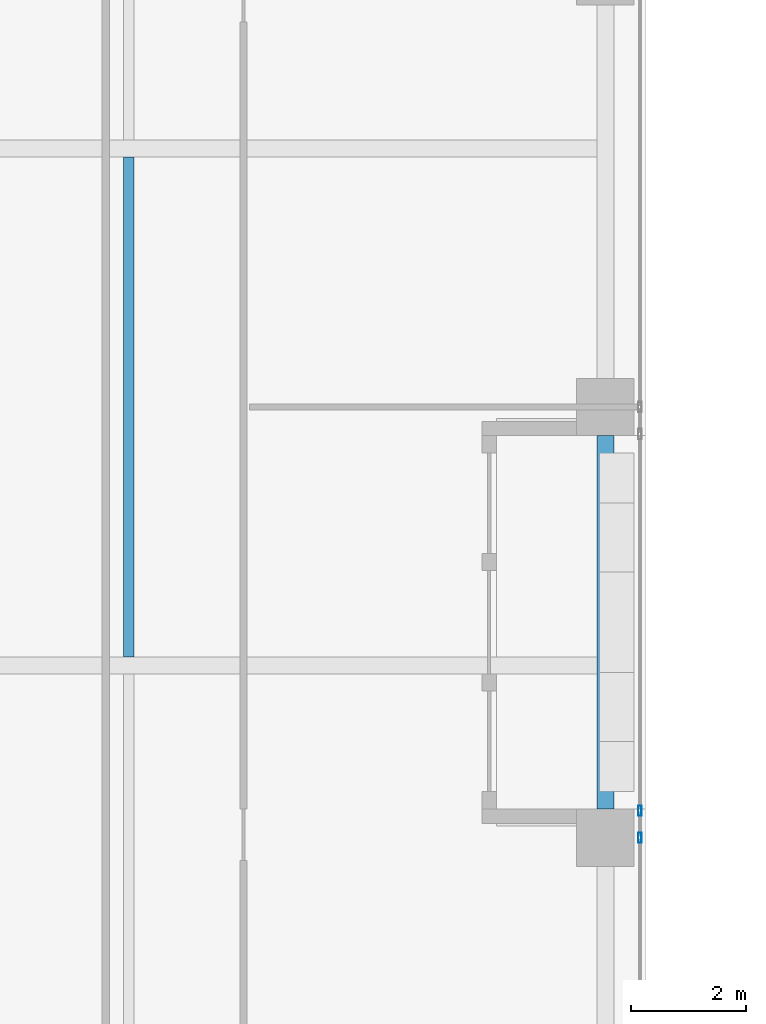
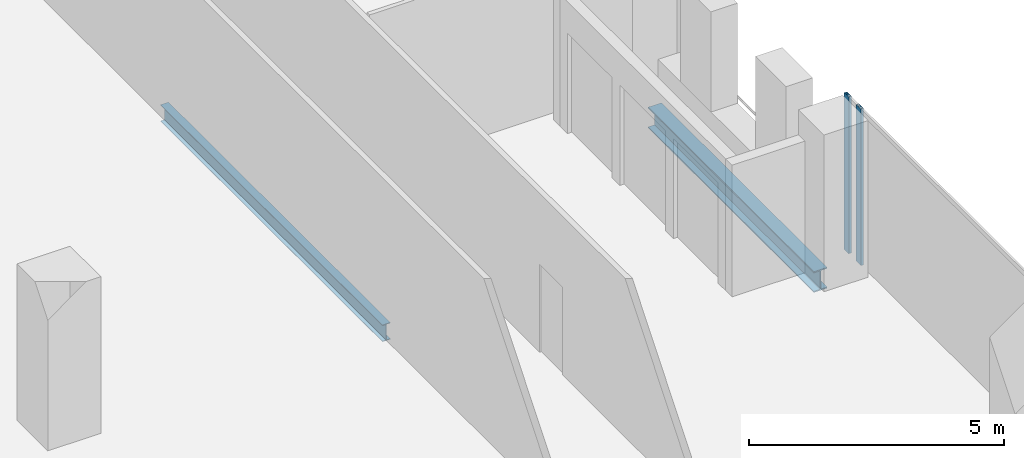
# One storey, part 14 of 40: 2 beams, 2 members, 1 element without a shape of its own.
"""IFC4 building model written with IfcOpenShell, lengths in metres."""

from ifc_helpers import new_model, si_unit, direction, frame, origin, origin_2d, place, context, subcontext, project, spatial, hollow_rectangle, i_section, extrude, source, transform, mapped, material, material_profile, profile_set, type_object, element, aggregate, save


model = new_model("IFC4")

# Units and contexts
model_context = context("Model", 3, precision=1e-05, world=origin(), true_north=direction((0.0, 1.0)))
body_context = subcontext(model_context, "Body", "Model", "MODEL_VIEW")
ifc_project = project(units=[si_unit("LENGTHUNIT", "METRE"), si_unit("AREAUNIT", "SQUARE_METRE"), si_unit("VOLUMEUNIT", "CUBIC_METRE"), si_unit("PLANEANGLEUNIT", "RADIAN"), si_unit("MASSUNIT", "GRAM", prefix="KILO")], contexts=[model_context])

# Site, building, storey
site_placement = place(None, origin())
site = spatial("IfcSite", under=ifc_project, at=site_placement, CompositionType="ELEMENT")
building_placement = place(site_placement, origin())
building = spatial("IfcBuilding", under=site, at=building_placement, Name="Khomas Fold Tower", CompositionType="ELEMENT")
storey_placement = place(building_placement, frame((0.0, 0.0, 204.699951171875)))
storey = spatial("IfcBuildingStorey", under=building, at=storey_placement, Name="L45", CompositionType="ELEMENT", Elevation=204.699951171875)

# Beams
ifc_material_1 = material(Name="Steel S355", Category="steel")
ifc_material_profile_1 = material_profile(ifc_material_1, i_section(OverallWidth=0.179931640625, OverallDepth=0.39990234375, WebThickness=0.008544921875, FlangeThickness=0.013427734375, at=origin_2d()), Name="IPE 400")
ifc_profile_set_1 = profile_set([ifc_material_profile_1], Name="Steel S355")
beam_type_1 = type_object("IfcBeamType", Name="IPE 400 beam JB3", PredefinedType="BEAM", material=ifc_profile_set_1)
shared_shape_1 = source(origin(), body_context, "Body", "SweptSolid", [
    extrude(i_section(OverallWidth=0.179931640625, OverallDepth=0.39990234375, WebThickness=0.008544921875, FlangeThickness=0.013427734375, at=origin_2d()), origin(), (0.0, 0.0, 1.0), 8.7001953125),
])
beam_1_placement = place(storey_placement, frame((42.0, 22.64990234375, -0.449951171875), z_axis=(0.0, 1.0, 0.0), x_axis=(-1.0, 0.0, 0.0)))
element("IfcBeam", 1, at=beam_1_placement, inside=storey, type_object=beam_type_1, Name="JB3", PredefinedType="BEAM", context=body_context, shape_type="MappedRepresentation", body=[
    mapped(shared_shape_1, transform((0.0, 0.0, 0.0))),
])
ifc_material_2 = material(Name="Steel S355", Category="steel")
ifc_material_profile_2 = material_profile(ifc_material_2, i_section(OverallWidth=0.300048828125, OverallDepth=0.5, WebThickness=0.014404296875, FlangeThickness=0.028076171875, at=origin_2d()), Name="HE 500 B")
ifc_profile_set_2 = profile_set([ifc_material_profile_2], Name="Steel S355")
beam_type_2 = type_object("IfcBeamType", Name="HE 500 B spandrel SB3", PredefinedType="SPANDREL", material=ifc_profile_set_2)
shared_shape_2 = source(origin(), body_context, "Body", "SweptSolid", [
    extrude(i_section(OverallWidth=0.300048828125, OverallDepth=0.5, WebThickness=0.014404296875, FlangeThickness=0.028076171875, at=origin_2d()), origin(), (0.0, 0.0, 1.0), 6.5),
])
beam_2_placement = place(storey_placement, frame((50.300048828125, 20.0, -0.5), z_axis=(0.0, 1.0, 0.0), x_axis=(-1.0, 0.0, 0.0)))
element("IfcBeam", 2, at=beam_2_placement, inside=storey, type_object=beam_type_2, Name="SB3", PredefinedType="SPANDREL", context=body_context, shape_type="MappedRepresentation", body=[
    mapped(shared_shape_2, transform((0.0, 0.0, 0.0))),
])

# Curtain wall, members
ifc_material_3 = material(Name="Aluminium framed double glazing", Category="aluminium")
curtain_wall_type = type_object("IfcCurtainWallType", Name="SK-Unitised clear-glass wall, office floors CW2", PredefinedType="NOTDEFINED", material=ifc_material_3)
curtain_wall_placement = place(storey_placement, origin())
curtain_wall = element("IfcCurtainWall", 3, at=curtain_wall_placement, inside=storey, type_object=curtain_wall_type, Name="CW2 run L45 03-0", PredefinedType="NOTDEFINED")
ifc_material_4 = material(Name="Aluminium", Category="aluminium")
ifc_material_profile_3 = material_profile(ifc_material_4, hollow_rectangle(XDim=0.06005859375, YDim=0.179931640625, WallThickness=0.00390625, at=origin_2d()), Name="SK-Unitised clear-glass wall, office floors mullion CW2-M")
ifc_profile_set_3 = profile_set([ifc_material_profile_3], Name="Aluminium")
member_type = type_object("IfcMemberType", Name="SK-Unitised clear-glass wall, office floors mullion CW2-M", PredefinedType="MULLION", material=ifc_profile_set_3)
shared_shape_3 = source(origin(), body_context, "Body", "SweptSolid", [
    extrude(hollow_rectangle(XDim=0.06005859375, YDim=0.179931640625, WallThickness=0.00390625, at=origin_2d()), origin(), (0.0, 0.0, 1.0), 3.75),
])
member_1_placement = place(storey_placement, frame((50.89990234375, 19.5, 0.0), z_axis=(0.0, 0.0, 1.0), x_axis=(-1.0, 0.0, 0.0)))
member_1 = element("IfcMember", 4, at=member_1_placement, type_object=member_type, Name="CW2 mullion 4", PredefinedType="MULLION", context=body_context, shape_type="MappedRepresentation", body=[
    mapped(shared_shape_3, transform((0.0, 0.0, 0.0))),
])
member_2_placement = place(storey_placement, frame((50.89990234375, 19.969970703125, 0.0), z_axis=(0.0, 0.0, 1.0), x_axis=(-1.0, 0.0, 0.0)))
member_2 = element("IfcMember", 5, at=member_2_placement, type_object=member_type, Name="CW2 mullion 5", PredefinedType="MULLION", context=body_context, shape_type="MappedRepresentation", body=[
    mapped(shared_shape_3, transform((0.0, 0.0, 0.0))),
])
aggregate(curtain_wall, [member_1, member_2])

save(model, "model.ifc")
